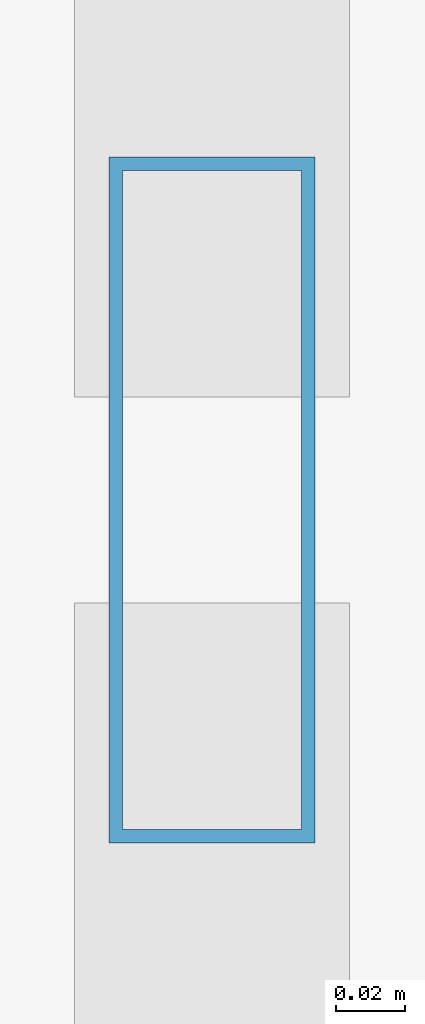
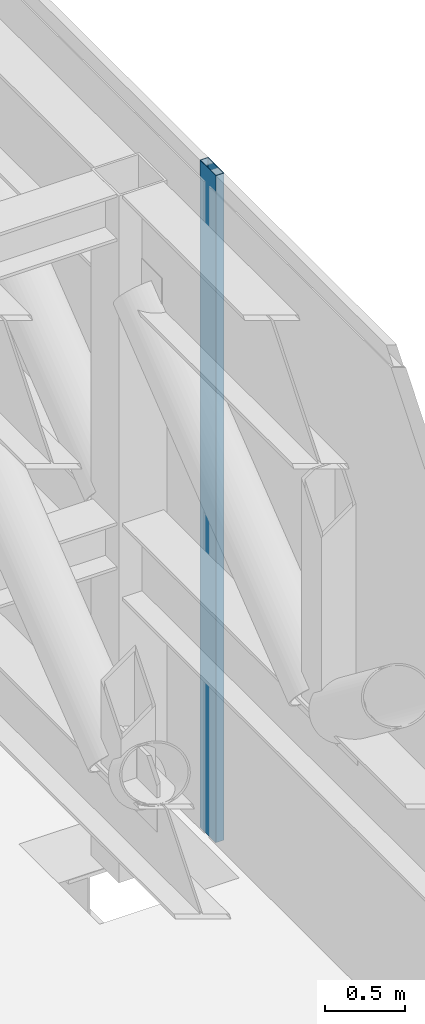
# One storey, part 16 of 36: 1 member, 1 element without a shape of its own.
"""IFC4 building model written with IfcOpenShell, lengths in metres."""

from ifc_helpers import new_model, si_unit, direction, frame, origin, origin_2d, place, context, subcontext, project, spatial, hollow_rectangle, extrude, source, transform, mapped, material, material_profile, profile_set, type_object, element, aggregate, save


model = new_model("IFC4")

# Units and contexts
model_context = context("Model", 3, precision=1e-05, world=origin(), true_north=direction((0.0, 1.0)))
body_context = subcontext(model_context, "Body", "Model", "MODEL_VIEW")
ifc_project = project(units=[si_unit("LENGTHUNIT", "METRE"), si_unit("AREAUNIT", "SQUARE_METRE"), si_unit("VOLUMEUNIT", "CUBIC_METRE"), si_unit("PLANEANGLEUNIT", "RADIAN"), si_unit("MASSUNIT", "GRAM", prefix="KILO")], contexts=[model_context])

# Site, building, storey
site_placement = place(None, origin())
site = spatial("IfcSite", under=ifc_project, at=site_placement, CompositionType="ELEMENT")
building_placement = place(site_placement, origin())
building = spatial("IfcBuilding", under=site, at=building_placement, Name="Khomas Fold Tower", CompositionType="ELEMENT")
storey_placement = place(building_placement, frame((0.0, 0.0, 216.699951171875)))
storey = spatial("IfcBuildingStorey", under=building, at=storey_placement, Name="L48", CompositionType="ELEMENT", Elevation=216.699951171875)

# Curtain wall, member
ifc_material_1 = material(Name="Aluminium framed double glazing", Category="aluminium")
curtain_wall_type = type_object("IfcCurtainWallType", Name="SK-Plant louvre wall CW4", PredefinedType="NOTDEFINED", material=ifc_material_1)
curtain_wall_placement = place(storey_placement, origin())
curtain_wall = element("IfcCurtainWall", 1, at=curtain_wall_placement, inside=storey, type_object=curtain_wall_type, Name="CW4 run L48 03-0", PredefinedType="NOTDEFINED")
ifc_material_2 = material(Name="Aluminium", Category="aluminium")
ifc_material_profile = material_profile(ifc_material_2, hollow_rectangle(XDim=0.06005859375, YDim=0.199951171875, WallThickness=0.00390625, at=origin_2d()), Name="SK-Plant louvre wall mullion CW4-M")
ifc_profile_set = profile_set([ifc_material_profile], Name="Aluminium")
member_type = type_object("IfcMemberType", Name="SK-Plant louvre wall mullion CW4-M", PredefinedType="MULLION", material=ifc_profile_set)
shared_shape = source(origin(), body_context, "Body", "SweptSolid", [
    extrude(hollow_rectangle(XDim=0.06005859375, YDim=0.199951171875, WallThickness=0.00390625, at=origin_2d()), origin(), (0.0, 0.0, 1.0), 5.10009765625),
])
member_placement = place(storey_placement, frame((50.89990234375, 34.5, 0.0), z_axis=(0.0, 0.0, 1.0), x_axis=(-1.0, 0.0, 0.0)))
member = element("IfcMember", 2, at=member_placement, type_object=member_type, Name="CW4 mullion 6", PredefinedType="MULLION", context=body_context, shape_type="MappedRepresentation", body=[
    mapped(shared_shape, transform((0.0, 0.0, 0.0))),
])
aggregate(curtain_wall, [member])

save(model, "model.ifc")
